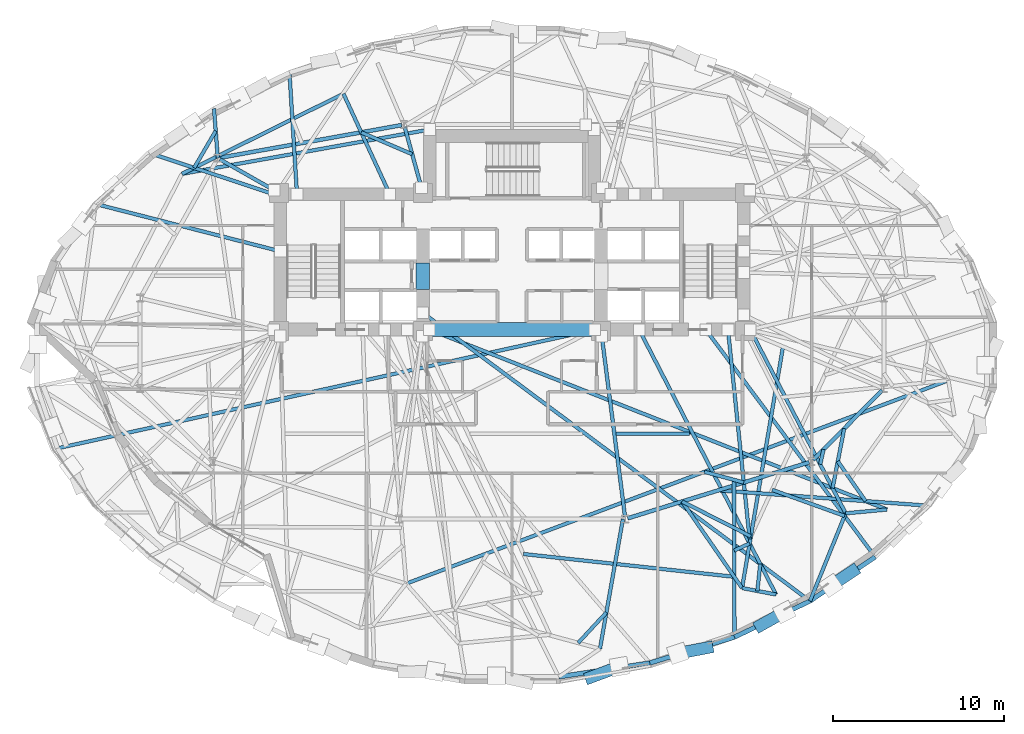
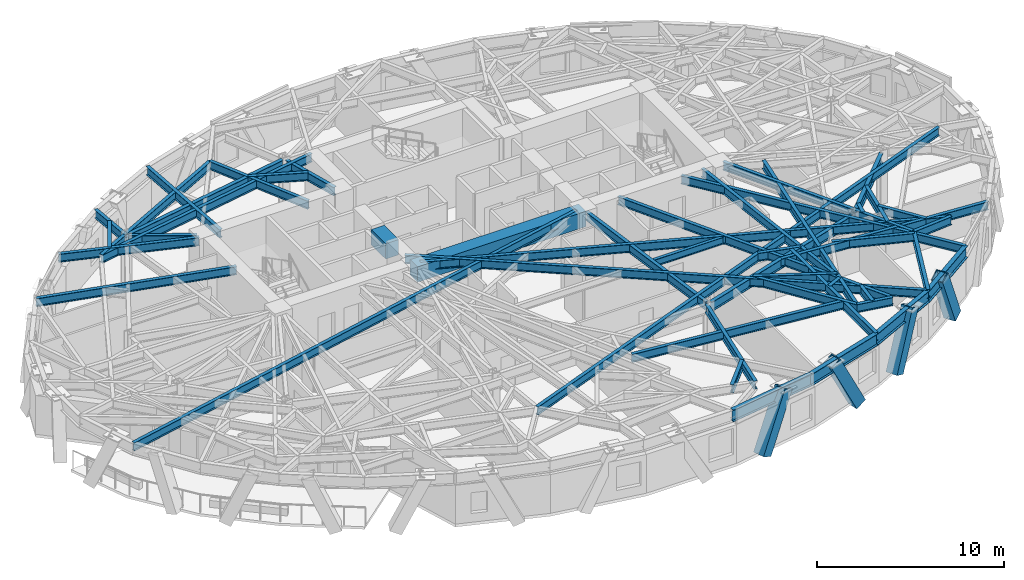
# One storey, part 4 of 17: 48 beams, 4 members.
"""IFC4 building model written with IfcOpenShell, lengths in metres."""

from ifc_helpers import new_model, si_unit, direction, frame, origin, origin_2d, place, context, subcontext, project, spatial, rectangle, hollow_rectangle, i_section, extrude, material, material_profile, profile_set, type_object, element, save


model = new_model("IFC4")

# Units and contexts
model_context = context("Model", 3, precision=1e-05, world=origin(), true_north=direction((0.0, 1.0)))
body_context = subcontext(model_context, "Body", "Model", "MODEL_VIEW")
ifc_project = project(units=[si_unit("LENGTHUNIT", "METRE"), si_unit("AREAUNIT", "SQUARE_METRE"), si_unit("VOLUMEUNIT", "CUBIC_METRE"), si_unit("PLANEANGLEUNIT", "RADIAN"), si_unit("MASSUNIT", "GRAM", prefix="KILO")], contexts=[model_context])

# Site, building, storey
site_placement = place(None, origin())
site = spatial("IfcSite", under=ifc_project, at=site_placement, CompositionType="ELEMENT")
building_placement = place(site_placement, origin())
building = spatial("IfcBuilding", under=site, at=building_placement, Name="Keldmark Tower", CompositionType="ELEMENT")
storey_placement = place(building_placement, frame((0.0, 0.0, 96.60009765625)))
storey = spatial("IfcBuildingStorey", under=building, at=storey_placement, Name="L25", CompositionType="ELEMENT", Elevation=96.60009765625)

# Beams
ifc_material_1 = material(Name="Steel ASTM A992 Grade 50", Category="steel")
ifc_material_profile_1 = material_profile(ifc_material_1, i_section(OverallWidth=0.19091796875, OverallDepth=0.45703125, WebThickness=0.009033203125, FlangeThickness=0.014404296875, at=origin_2d()), Name="W18X50")
ifc_profile_set_1 = profile_set([ifc_material_profile_1], Name="Steel ASTM A992 Grade 50")
beam_type_1 = type_object("IfcBeamType", Name="Composite Floor Joist W18X50", PredefinedType="JOIST", material=ifc_profile_set_1)
beam_1_placement = place(storey_placement, frame((6.07080078125, -4.60009765625, 3.081298828125), z_axis=(1.0, 0.0, 0.0), x_axis=(0.0, 1.0, 0.0)))
element("IfcBeam", 1, at=beam_1_placement, inside=storey, type_object=beam_type_1, Name="L25 Composite Floor Joist J06", PredefinedType="JOIST", context=body_context, shape_type="SweptSolid", body=[
    extrude(i_section(OverallWidth=0.19091796875, OverallDepth=0.45703125, WebThickness=0.009033203125, FlangeThickness=0.014404296875, at=origin_2d()), origin(), (0.0, 0.0, 1.0), 4.285400390625),
])
ifc_material_2 = material(Name="Concrete C70/85", Category="concrete")
ifc_material_profile_2 = material_profile(ifc_material_2, rectangle(XDim=0.800048828125, YDim=1.0, at=origin_2d()), Name="RCB800X1000")
ifc_profile_set_2 = profile_set([ifc_material_profile_2], Name="Concrete C70/85")
beam_type_2 = type_object("IfcBeamType", Name="Core Coupling Beam RCB800X1000", PredefinedType="USERDEFINED", material=ifc_profile_set_2)
beam_2_placement = place(storey_placement, frame((-5.199951171875, 3.800048828125, 2.809814453125), z_axis=(0.0, 1.0, 0.0), x_axis=(-1.0, 0.0, 0.0)))
element("IfcBeam", 2, at=beam_2_placement, inside=storey, type_object=beam_type_2, Name="L25 West Core Coupling Beam", ObjectType="COUPLING BEAM", PredefinedType="USERDEFINED", context=body_context, shape_type="SweptSolid", body=[
    extrude(rectangle(XDim=0.800048828125, YDim=1.0, at=origin_2d()), origin(), (0.0, 0.0, 1.0), 1.550048828125),
])
beam_3_placement = place(storey_placement, frame((-5.199951171875, 1.47509765625, 2.809814453125), z_axis=(1.0, 0.0, 0.0), x_axis=(0.0, 1.0, 0.0)))
element("IfcBeam", 3, at=beam_3_placement, inside=storey, type_object=beam_type_2, Name="L25 Central South Core Coupling Beam", ObjectType="COUPLING BEAM", PredefinedType="USERDEFINED", context=body_context, shape_type="SweptSolid", body=[
    extrude(rectangle(XDim=0.800048828125, YDim=1.0, at=origin_2d()), origin(), (0.0, 0.0, 1.0), 10.39990234375),
])

# Members
ifc_material_3 = material(Name="Steel ASTM A572 Grade 50", Category="steel")
ifc_material_profile_3 = material_profile(ifc_material_3, hollow_rectangle(XDim=0.699951171875, YDim=0.699951171875, WallThickness=0.054931640625, at=origin_2d()), Name="BOX700X700X55")
ifc_profile_set_3 = profile_set([ifc_material_profile_3], Name="Steel ASTM A572 Grade 50")
member_type = type_object("IfcMemberType", Name="Diagrid Zone 1 Brace BOX700X700X55", PredefinedType="BRACE", material=ifc_profile_set_3)
member_1_placement = place(storey_placement, frame((4.57568359375, -18.819091796875, -0.27001953125), z_axis=(0.433580961865, 0.161333905735, 0.886554521938), x_axis=(-0.348736474266, 0.937220823241, 0.0)))
element("IfcMember", 4, at=member_1_placement, inside=storey, type_object=member_type, Name="L25 Perimeter Diagrid Brace 13A", PredefinedType="BRACE", context=body_context, shape_type="SweptSolid", body=[
    extrude(hollow_rectangle(XDim=0.699951171875, YDim=0.699951171875, WallThickness=0.054931640625, at=origin_2d()), origin(), (0.0, 0.0, 1.0), 3.902587890625),
])
member_2_placement = place(storey_placement, frame((11.422607421875, -17.08203125, -0.27001953125), z_axis=(-0.449249452938, -0.08646169639, 0.889212744), x_axis=(0.18898982202, -0.981979046199, 0.0)))
element("IfcMember", 5, at=member_2_placement, inside=storey, type_object=member_type, Name="L25 Perimeter Diagrid Brace 13B", PredefinedType="BRACE", context=body_context, shape_type="SweptSolid", body=[
    extrude(hollow_rectangle(XDim=0.699951171875, YDim=0.699951171875, WallThickness=0.054931640625, at=origin_2d()), origin(), (0.0, 0.0, 1.0), 3.89111328125),
])
member_3_placement = place(storey_placement, frame((14.489013671875, -15.793212890625, -0.27001953125), z_axis=(0.368119502039, 0.204603276776, 0.906987062395), x_axis=(-0.485810649784, 0.874064078061, 0.0)))
element("IfcMember", 6, at=member_3_placement, inside=storey, type_object=member_type, Name="L25 Perimeter Diagrid Brace 14A", PredefinedType="BRACE", context=body_context, shape_type="SweptSolid", body=[
    extrude(hollow_rectangle(XDim=0.699951171875, YDim=0.699951171875, WallThickness=0.054931640625, at=origin_2d()), origin(), (0.0, 0.0, 1.0), 3.814697265625),
])
member_4_placement = place(storey_placement, frame((19.896240234375, -12.607421875, -0.27001953125), z_axis=(-0.337562603666, -0.225020237713, 0.914011696438), x_axis=(0.554663509165, -0.83207475121, 0.0)))
element("IfcMember", 7, at=member_4_placement, inside=storey, type_object=member_type, Name="L25 Perimeter Diagrid Brace 14B", PredefinedType="BRACE", context=body_context, shape_type="SweptSolid", body=[
    extrude(hollow_rectangle(XDim=0.699951171875, YDim=0.699951171875, WallThickness=0.054931640625, at=origin_2d()), origin(), (0.0, 0.0, 1.0), 3.785400390625),
])

# Beams
ifc_material_4 = material(Name="Steel ASTM A992 Grade 50", Category="steel")
ifc_material_profile_4 = material_profile(ifc_material_4, i_section(OverallWidth=0.22900390625, OverallDepth=0.612060546875, WebThickness=0.011962890625, FlangeThickness=0.01953125, at=origin_2d()), Name="W24X84")
ifc_profile_set_4 = profile_set([ifc_material_profile_4], Name="Steel ASTM A992 Grade 50")
beam_type_3 = type_object("IfcBeamType", Name="Primary Floor Girder W24X84", PredefinedType="BEAM", material=ifc_profile_set_4)
beam_4_placement = place(storey_placement, frame((-6.4365234375, 13.40771484375, 3.00390625), z_axis=(-0.984218266992, -0.176958760505, 0.0), x_axis=(0.176958760505, -0.984218266992, 0.0)))
element("IfcBeam", 8, at=beam_4_placement, inside=storey, type_object=beam_type_3, Name="L25 Floor Ring Girder FG-R04", PredefinedType="BEAM", context=body_context, shape_type="SweptSolid", body=[
    extrude(i_section(OverallWidth=0.22900390625, OverallDepth=0.612060546875, WebThickness=0.011962890625, FlangeThickness=0.01953125, at=origin_2d()), origin(), (0.0, 0.0, 1.0), 10.7626953125),
])
beam_5_placement = place(storey_placement, frame((6.74658203125, -9.5380859375, 3.00390625), z_axis=(0.955607954968, 0.294641199432, 0.0), x_axis=(-0.294641199432, 0.955607954968, 0.0)))
element("IfcBeam", 9, at=beam_5_placement, inside=storey, type_object=beam_type_3, Name="L25 Floor Ring Girder FG-R10", PredefinedType="BEAM", context=body_context, shape_type="SweptSolid", body=[
    extrude(i_section(OverallWidth=0.22900390625, OverallDepth=0.612060546875, WebThickness=0.011962890625, FlangeThickness=0.01953125, at=origin_2d()), origin(), (0.0, 0.0, 1.0), 11.089111328125),
])
beam_6_placement = place(storey_placement, frame((17.57568359375, -6.130126953125, 3.00390625), z_axis=(0.703425791323, 0.71076870788, 0.0), x_axis=(-0.71076870788, 0.703425791323, 0.0)))
element("IfcBeam", 10, at=beam_6_placement, inside=storey, type_object=beam_type_3, Name="L25 Floor Ring Girder FG-R11", PredefinedType="BEAM", context=body_context, shape_type="SweptSolid", body=[
    extrude(i_section(OverallWidth=0.22900390625, OverallDepth=0.612060546875, WebThickness=0.011962890625, FlangeThickness=0.01953125, at=origin_2d()), origin(), (0.0, 0.0, 1.0), 5.71875),
])
ifc_material_5 = material(Name="Steel ASTM A992 Grade 50", Category="steel")
ifc_material_profile_5 = material_profile(ifc_material_5, i_section(OverallWidth=0.2099609375, OverallDepth=0.537109375, WebThickness=0.010986328125, FlangeThickness=0.017333984375, at=origin_2d()), Name="W21X68")
ifc_profile_set_5 = profile_set([ifc_material_profile_5], Name="Steel ASTM A992 Grade 50")
beam_type_4 = type_object("IfcBeamType", Name="Radial Tie Girder W21X68", PredefinedType="BEAM", material=ifc_profile_set_5)
beam_7_placement = place(storey_placement, frame((-5.822265625, 11.705078125, 3.04150390625), z_axis=(-0.918742788733, 0.39485654123, 0.0), x_axis=(-0.39485654123, -0.918742788733, 0.0)))
element("IfcBeam", 11, at=beam_7_placement, inside=storey, type_object=beam_type_4, Name="L25 Framing Pin Header PH-002", PredefinedType="BEAM", context=body_context, shape_type="SweptSolid", body=[
    extrude(i_section(OverallWidth=0.2099609375, OverallDepth=0.537109375, WebThickness=0.010986328125, FlangeThickness=0.017333984375, at=origin_2d()), origin(), (0.0, 0.0, 1.0), 3.237548828125),
])
beam_8_placement = place(storey_placement, frame((-7.132080078125, 9.375, 3.04150390625), z_axis=(-0.41889505374, 0.908034654599, 0.0), x_axis=(-0.908034654599, -0.41889505374, 0.0)))
element("IfcBeam", 12, at=beam_8_placement, inside=storey, type_object=beam_type_4, Name="L25 Sub-Ring Step Girder STP1-M05", PredefinedType="BEAM", context=body_context, shape_type="SweptSolid", body=[
    extrude(i_section(OverallWidth=0.2099609375, OverallDepth=0.537109375, WebThickness=0.010986328125, FlangeThickness=0.017333984375, at=origin_2d()), origin(), (0.0, 0.0, 1.0), 6.4541015625),
])
beam_9_placement = place(storey_placement, frame((-4.800048828125, 13.14990234375, 3.04150390625), z_axis=(-0.984336944595, -0.176297417749, 0.0), x_axis=(0.176297417749, -0.984336944595, 0.0)))
element("IfcBeam", 13, at=beam_9_placement, inside=storey, type_object=beam_type_4, Name="L25 Sub-Ring Step Girder STP1-M06", PredefinedType="BEAM", context=body_context, shape_type="SweptSolid", body=[
    extrude(i_section(OverallWidth=0.2099609375, OverallDepth=0.537109375, WebThickness=0.010986328125, FlangeThickness=0.017333984375, at=origin_2d()), origin(), (0.0, 0.0, 1.0), 14.688720703125),
])
beam_10_placement = place(storey_placement, frame((-9.835693359375, 15.235595703125, 3.04150390625), z_axis=(-0.895801561562, -0.444454229705, 0.0), x_axis=(0.444454229705, -0.895801561562, 0.0)))
element("IfcBeam", 14, at=beam_10_placement, inside=storey, type_object=beam_type_4, Name="L25 Perimeter Collector Ring Beam CRG1-M05", PredefinedType="BEAM", context=body_context, shape_type="SweptSolid", body=[
    extrude(i_section(OverallWidth=0.2099609375, OverallDepth=0.537109375, WebThickness=0.010986328125, FlangeThickness=0.017333984375, at=origin_2d()), origin(), (0.0, 0.0, 1.0), 10.519287109375),
])
beam_11_placement = place(storey_placement, frame((-6.1748046875, -13.349609375, 3.04150390625), z_axis=(0.936336898088, 0.351102852851, 0.0), x_axis=(-0.351102852851, 0.936336898088, 0.0)))
element("IfcBeam", 15, at=beam_11_placement, inside=storey, type_object=beam_type_4, Name="L25 Perimeter Collector Ring Beam CRG1-M09", PredefinedType="BEAM", context=body_context, shape_type="SweptSolid", body=[
    extrude(i_section(OverallWidth=0.2099609375, OverallDepth=0.537109375, WebThickness=0.010986328125, FlangeThickness=0.017333984375, at=origin_2d()), origin(), (0.0, 0.0, 1.0), 33.787109375),
])
beam_12_placement = place(storey_placement, frame((11.22509765625, -6.8251953125, 3.04150390625), z_axis=(0.965260823005, -0.261288238485, 0.0), x_axis=(0.261288238485, 0.965260823005, 0.0)))
element("IfcBeam", 16, at=beam_12_placement, inside=storey, type_object=beam_type_4, Name="L25 Framing Pin Header PH-014", PredefinedType="BEAM", context=body_context, shape_type="SweptSolid", body=[
    extrude(i_section(OverallWidth=0.2099609375, OverallDepth=0.537109375, WebThickness=0.010986328125, FlangeThickness=0.017333984375, at=origin_2d()), origin(), (0.0, 0.0, 1.0), 2.383544921875),
])
beam_13_placement = place(storey_placement, frame((12.603515625, 1.47509765625, 3.04150390625), z_axis=(0.102811001246, -0.994700908828, 0.0), x_axis=(0.994700908828, 0.102811001246, 0.0)))
element("IfcBeam", 17, at=beam_13_placement, inside=storey, type_object=beam_type_4, Name="L25 Sub-Ring Step Girder STP2-M11", PredefinedType="BEAM", context=body_context, shape_type="SweptSolid", body=[
    extrude(i_section(OverallWidth=0.2099609375, OverallDepth=0.537109375, WebThickness=0.010986328125, FlangeThickness=0.017333984375, at=origin_2d()), origin(), (0.0, 0.0, 1.0), 12.2841796875),
])
beam_14_placement = place(storey_placement, frame((-12.54638671875, 9.375, 3.04150390625), z_axis=(-0.061700276129, 0.998094722922, 0.0), x_axis=(-0.998094722922, -0.061700276129, 0.0)))
element("IfcBeam", 18, at=beam_14_placement, inside=storey, type_object=beam_type_4, Name="L25 Perimeter Radial Tie Girder RT-11", PredefinedType="BEAM", context=body_context, shape_type="SweptSolid", body=[
    extrude(i_section(OverallWidth=0.2099609375, OverallDepth=0.537109375, WebThickness=0.010986328125, FlangeThickness=0.017333984375, at=origin_2d()), origin(), (0.0, 0.0, 1.0), 7.1064453125),
])
beam_15_placement = place(storey_placement, frame((-17.1669921875, 11.478271484375, 3.04150390625), z_axis=(-0.077006087343, 0.997030622655, 0.0), x_axis=(-0.997030622655, -0.077006087343, 0.0)))
element("IfcBeam", 19, at=beam_15_placement, inside=storey, type_object=beam_type_4, Name="L25 Perimeter Column Bracket RT-12", PredefinedType="BEAM", context=body_context, shape_type="SweptSolid", body=[
    extrude(i_section(OverallWidth=0.2099609375, OverallDepth=0.537109375, WebThickness=0.010986328125, FlangeThickness=0.017333984375, at=origin_2d()), origin(), (0.0, 0.0, 1.0), 2.89453125),
])
beam_16_placement = place(storey_placement, frame((-17.28955078125, 13.065673828125, 3.04150390625), z_axis=(-0.504449485271, -0.863441206342, 0.0), x_axis=(0.863441206342, -0.504449485271, 0.0)))
element("IfcBeam", 20, at=beam_16_placement, inside=storey, type_object=beam_type_4, Name="L25 Framing Pin Header PH-022", PredefinedType="BEAM", context=body_context, shape_type="SweptSolid", body=[
    extrude(i_section(OverallWidth=0.2099609375, OverallDepth=0.537109375, WebThickness=0.010986328125, FlangeThickness=0.017333984375, at=origin_2d()), origin(), (0.0, 0.0, 1.0), 2.492431640625),
])
beam_17_placement = place(storey_placement, frame((-13.89990234375, 9.375, 3.04150390625), z_axis=(-0.94932040912, 0.314309975705, 0.0), x_axis=(-0.314309975705, -0.94932040912, 0.0)))
element("IfcBeam", 21, at=beam_17_placement, inside=storey, type_object=beam_type_4, Name="L25 Perimeter Radial Tie Girder RT-13", PredefinedType="BEAM", context=body_context, shape_type="SweptSolid", body=[
    extrude(i_section(OverallWidth=0.2099609375, OverallDepth=0.537109375, WebThickness=0.010986328125, FlangeThickness=0.017333984375, at=origin_2d()), origin(), (0.0, 0.0, 1.0), 7.678955078125),
])
beam_18_placement = place(storey_placement, frame((-13.52490234375, 6.04296875, 3.04150390625), z_axis=(-0.968696781598, 0.248246944234, 0.0), x_axis=(-0.248246944234, -0.968696781598, 0.0)))
element("IfcBeam", 22, at=beam_18_placement, inside=storey, type_object=beam_type_4, Name="L25 Perimeter Radial Tie Girder RT-14", PredefinedType="BEAM", context=body_context, shape_type="SweptSolid", body=[
    extrude(i_section(OverallWidth=0.2099609375, OverallDepth=0.537109375, WebThickness=0.010986328125, FlangeThickness=0.017333984375, at=origin_2d()), origin(), (0.0, 0.0, 1.0), 11.115966796875),
])
beam_19_placement = place(storey_placement, frame((4.824951171875, 1.47509765625, 3.04150390625), z_axis=(-0.976430149111, -0.215833648692, 0.0), x_axis=(0.215833648692, -0.976430149111, 0.0)))
element("IfcBeam", 23, at=beam_19_placement, inside=storey, type_object=beam_type_4, Name="L25 Perimeter Radial Tie Girder RT-18", PredefinedType="BEAM", context=body_context, shape_type="SweptSolid", body=[
    extrude(i_section(OverallWidth=0.2099609375, OverallDepth=0.537109375, WebThickness=0.010986328125, FlangeThickness=0.017333984375, at=origin_2d()), origin(), (0.0, 0.0, 1.0), 32.104248046875),
])
beam_20_placement = place(storey_placement, frame((9.92578125, -8.557861328125, 3.04150390625), z_axis=(0.89201446868, -0.452006844711, 0.0), x_axis=(0.452006844711, 0.89201446868, 0.0)))
element("IfcBeam", 24, at=beam_20_placement, inside=storey, type_object=beam_type_4, Name="L25 Framing Pin Header PH-036", PredefinedType="BEAM", context=body_context, shape_type="SweptSolid", body=[
    extrude(i_section(OverallWidth=0.2099609375, OverallDepth=0.537109375, WebThickness=0.010986328125, FlangeThickness=0.017333984375, at=origin_2d()), origin(), (0.0, 0.0, 1.0), 4.49658203125),
])
beam_21_placement = place(storey_placement, frame((15.8134765625, 0.47998046875, 3.04150390625), z_axis=(-0.167141733983, -0.985932878426, 0.0), x_axis=(0.985932878426, -0.167141733983, 0.0)))
element("IfcBeam", 25, at=beam_21_placement, inside=storey, type_object=beam_type_4, Name="L25 Intermediate Radial Step Girder RT-27M", PredefinedType="BEAM", context=body_context, shape_type="SweptSolid", body=[
    extrude(i_section(OverallWidth=0.2099609375, OverallDepth=0.537109375, WebThickness=0.010986328125, FlangeThickness=0.017333984375, at=origin_2d()), origin(), (0.0, 0.0, 1.0), 14.286865234375),
])
beam_22_placement = place(storey_placement, frame((9.92578125, -8.557861328125, 3.04150390625), z_axis=(0.5697513477, -0.821817134035, 0.0), x_axis=(0.821817134035, 0.5697513477, 0.0)))
element("IfcBeam", 26, at=beam_22_placement, inside=storey, type_object=beam_type_4, Name="L25 Local Collector Chord RT-27C", PredefinedType="BEAM", context=body_context, shape_type="SweptSolid", body=[
    extrude(i_section(OverallWidth=0.2099609375, OverallDepth=0.537109375, WebThickness=0.010986328125, FlangeThickness=0.017333984375, at=origin_2d()), origin(), (0.0, 0.0, 1.0), 6.142578125),
])
beam_23_placement = place(storey_placement, frame((0.669189453125, -11.62109375, 3.04150390625), z_axis=(0.994206363768, -0.107488167923, 0.0), x_axis=(0.107488167923, 0.994206363768, 0.0)))
element("IfcBeam", 27, at=beam_23_placement, inside=storey, type_object=beam_type_4, Name="L25 Framing Pin Header PH-037", PredefinedType="BEAM", context=body_context, shape_type="SweptSolid", body=[
    extrude(i_section(OverallWidth=0.2099609375, OverallDepth=0.537109375, WebThickness=0.010986328125, FlangeThickness=0.017333984375, at=origin_2d()), origin(), (0.0, 0.0, 1.0), 12.374267578125),
])
beam_24_placement = place(storey_placement, frame((12.95068359375, -7.292236328125, 3.04150390625), z_axis=(0.003724963514, -0.999993062299, 0.0), x_axis=(0.999993062299, 0.003724963514, 0.0)))
element("IfcBeam", 28, at=beam_24_placement, inside=storey, type_object=beam_type_4, Name="L25 Perimeter Radial Tie Girder RT-27", PredefinedType="BEAM", context=body_context, shape_type="SweptSolid", body=[
    extrude(i_section(OverallWidth=0.2099609375, OverallDepth=0.537109375, WebThickness=0.010986328125, FlangeThickness=0.017333984375, at=origin_2d()), origin(), (0.0, 0.0, 1.0), 9.17578125),
])
beam_25_placement = place(storey_placement, frame((12.966064453125, -11.42138671875, 3.04150390625), z_axis=(0.907079392959, 0.420959588166, 0.0), x_axis=(-0.420959588166, 0.907079392959, 0.0)))
element("IfcBeam", 29, at=beam_25_placement, inside=storey, type_object=beam_type_4, Name="L25 Framing Pin Header PH-038", PredefinedType="BEAM", context=body_context, shape_type="SweptSolid", body=[
    extrude(i_section(OverallWidth=0.2099609375, OverallDepth=0.537109375, WebThickness=0.010986328125, FlangeThickness=0.017333984375, at=origin_2d()), origin(), (0.0, 0.0, 1.0), 0.992919921875),
])
beam_26_placement = place(storey_placement, frame((7.41796875, 1.47509765625, 3.04150390625), z_axis=(0.459109556407, -0.888379657137, 0.0), x_axis=(0.888379657137, 0.459109556407, 0.0)))
element("IfcBeam", 30, at=beam_26_placement, inside=storey, type_object=beam_type_4, Name="L25 Intermediate Radial Step Girder RT-28M", PredefinedType="BEAM", context=body_context, shape_type="SweptSolid", body=[
    extrude(i_section(OverallWidth=0.2099609375, OverallDepth=0.537109375, WebThickness=0.010986328125, FlangeThickness=0.017333984375, at=origin_2d()), origin(), (0.0, 0.0, 1.0), 17.402587890625),
])
beam_27_placement = place(storey_placement, frame((13.425537109375, -13.60595703125, 3.04150390625), z_axis=(0.982193207505, -0.18787363607, 0.0), x_axis=(0.18787363607, 0.982193207505, 0.0)))
element("IfcBeam", 31, at=beam_27_placement, inside=storey, type_object=beam_type_4, Name="L25 Local Collector Chord RT-28C", PredefinedType="BEAM", context=body_context, shape_type="SweptSolid", body=[
    extrude(i_section(OverallWidth=0.2099609375, OverallDepth=0.537109375, WebThickness=0.010986328125, FlangeThickness=0.017333984375, at=origin_2d()), origin(), (0.0, 0.0, 1.0), 2.01806640625),
])
beam_28_placement = place(storey_placement, frame((14.3173828125, -13.776611328125, 3.04150390625), z_axis=(0.107246862306, 0.994232422789, 0.0), x_axis=(-0.994232422789, 0.107246862306, 0.0)))
element("IfcBeam", 32, at=beam_28_placement, inside=storey, type_object=beam_type_4, Name="L25 Framing Pin Header PH-039", PredefinedType="BEAM", context=body_context, shape_type="SweptSolid", body=[
    extrude(i_section(OverallWidth=0.2099609375, OverallDepth=0.537109375, WebThickness=0.010986328125, FlangeThickness=0.017333984375, at=origin_2d()), origin(), (0.0, 0.0, 1.0), 1.58203125),
])
beam_29_placement = place(storey_placement, frame((-5.199951171875, 2.449951171875, 3.04150390625), z_axis=(0.802179432186, -0.59708304161, 0.0), x_axis=(0.59708304161, 0.802179432186, 0.0)))
element("IfcBeam", 33, at=beam_29_placement, inside=storey, type_object=beam_type_4, Name="L25 Perimeter Radial Tie Girder RT-28", PredefinedType="BEAM", context=body_context, shape_type="SweptSolid", body=[
    extrude(i_section(OverallWidth=0.2099609375, OverallDepth=0.537109375, WebThickness=0.010986328125, FlangeThickness=0.017333984375, at=origin_2d()), origin(), (0.0, 0.0, 1.0), 28.16064453125),
])
beam_30_placement = place(storey_placement, frame((18.17919921875, -5.5205078125, 3.04150390625), z_axis=(-0.218472344851, -0.975843140333, 0.0), x_axis=(0.975843140333, -0.218472344851, 0.0)))
element("IfcBeam", 34, at=beam_30_placement, inside=storey, type_object=beam_type_4, Name="L25 Framing Pin Header PH-040", PredefinedType="BEAM", context=body_context, shape_type="SweptSolid", body=[
    extrude(i_section(OverallWidth=0.2099609375, OverallDepth=0.537109375, WebThickness=0.010986328125, FlangeThickness=0.017333984375, at=origin_2d()), origin(), (0.0, 0.0, 1.0), 0.888427734375),
])
beam_31_placement = place(storey_placement, frame((13.89990234375, 1.47509765625, 3.04150390625), z_axis=(0.461052437955, -0.887372892, 0.0), x_axis=(0.887372892, 0.461052437955, 0.0)))
element("IfcBeam", 35, at=beam_31_placement, inside=storey, type_object=beam_type_4, Name="L25 Intermediate Radial Step Girder RT-29M", PredefinedType="BEAM", context=body_context, shape_type="SweptSolid", body=[
    extrude(i_section(OverallWidth=0.2099609375, OverallDepth=0.537109375, WebThickness=0.010986328125, FlangeThickness=0.017333984375, at=origin_2d()), origin(), (0.0, 0.0, 1.0), 12.083251953125),
])
beam_32_placement = place(storey_placement, frame((17.389892578125, -14.3642578125, 3.04150390625), z_axis=(0.376733853868, 0.926321544254, 0.0), x_axis=(-0.926321544254, 0.376733853868, 0.0)))
element("IfcBeam", 36, at=beam_32_placement, inside=storey, type_object=beam_type_4, Name="L25 Local Collector Chord RT-29C", PredefinedType="BEAM", context=body_context, shape_type="SweptSolid", body=[
    extrude(i_section(OverallWidth=0.2099609375, OverallDepth=0.537109375, WebThickness=0.010986328125, FlangeThickness=0.017333984375, at=origin_2d()), origin(), (0.0, 0.0, 1.0), 5.52392578125),
])
beam_33_placement = place(storey_placement, frame((15.182373046875, -7.875, 3.04150390625), z_axis=(0.940725912132, -0.339167743518, 0.0), x_axis=(0.339167743518, 0.940725912132, 0.0)))
element("IfcBeam", 37, at=beam_33_placement, inside=storey, type_object=beam_type_4, Name="L25 Framing Pin Header PH-041", PredefinedType="BEAM", context=body_context, shape_type="SweptSolid", body=[
    extrude(i_section(OverallWidth=0.2099609375, OverallDepth=0.537109375, WebThickness=0.010986328125, FlangeThickness=0.017333984375, at=origin_2d()), origin(), (0.0, 0.0, 1.0), 4.4931640625),
])
beam_34_placement = place(storey_placement, frame((11.30712890625, 1.47509765625, 3.04150390625), z_axis=(0.597474809089, -0.801887680728, 0.0), x_axis=(0.801887680728, 0.597474809089, 0.0)))
element("IfcBeam", 38, at=beam_34_placement, inside=storey, type_object=beam_type_4, Name="L25 Perimeter Radial Tie Girder RT-29", PredefinedType="BEAM", context=body_context, shape_type="SweptSolid", body=[
    extrude(i_section(OverallWidth=0.2099609375, OverallDepth=0.537109375, WebThickness=0.010986328125, FlangeThickness=0.017333984375, at=origin_2d()), origin(), (0.0, 0.0, 1.0), 16.54052734375),
])
beam_35_placement = place(storey_placement, frame((19.385986328125, -4.301025390625, 3.04150390625), z_axis=(-0.191792197269, -0.981435557266, 0.0), x_axis=(0.981435557266, -0.191792197269, 0.0)))
element("IfcBeam", 39, at=beam_35_placement, inside=storey, type_object=beam_type_4, Name="L25 Framing Pin Header PH-042", PredefinedType="BEAM", context=body_context, shape_type="SweptSolid", body=[
    extrude(i_section(OverallWidth=0.2099609375, OverallDepth=0.537109375, WebThickness=0.010986328125, FlangeThickness=0.017333984375, at=origin_2d()), origin(), (0.0, 0.0, 1.0), 3.541259765625),
])
beam_36_placement = place(storey_placement, frame((-4.824951171875, 1.47509765625, 3.04150390625), z_axis=(0.930656016683, -0.365895310999, 0.0), x_axis=(0.365895310999, 0.930656016683, 0.0)))
element("IfcBeam", 40, at=beam_36_placement, inside=storey, type_object=beam_type_4, Name="L25 Intermediate Radial Step Girder RT-30M", PredefinedType="BEAM", context=body_context, shape_type="SweptSolid", body=[
    extrude(i_section(OverallWidth=0.2099609375, OverallDepth=0.537109375, WebThickness=0.010986328125, FlangeThickness=0.017333984375, at=origin_2d()), origin(), (0.0, 0.0, 1.0), 28.69677734375),
])
beam_37_placement = place(storey_placement, frame((19.470947265625, -9.247314453125, 3.04150390625), z_axis=(0.995771647265, 0.091863085636, 0.0), x_axis=(-0.091863085636, 0.995771647265, 0.0)))
element("IfcBeam", 41, at=beam_37_placement, inside=storey, type_object=beam_type_4, Name="L25 Local Collector Chord RT-30C", PredefinedType="BEAM", context=body_context, shape_type="SweptSolid", body=[
    extrude(i_section(OverallWidth=0.2099609375, OverallDepth=0.537109375, WebThickness=0.010986328125, FlangeThickness=0.017333984375, at=origin_2d()), origin(), (0.0, 0.0, 1.0), 2.421142578125),
])
beam_38_placement = place(storey_placement, frame((19.012451171875, -6.21240234375, 3.04150390625), z_axis=(0.572536208018, -0.819879436569, 0.0), x_axis=(0.819879436569, 0.572536208018, 0.0)))
element("IfcBeam", 42, at=beam_38_placement, inside=storey, type_object=beam_type_4, Name="L25 Framing Pin Header PH-043", PredefinedType="BEAM", context=body_context, shape_type="SweptSolid", body=[
    extrude(i_section(OverallWidth=0.2099609375, OverallDepth=0.537109375, WebThickness=0.010986328125, FlangeThickness=0.017333984375, at=origin_2d()), origin(), (0.0, 0.0, 1.0), 2.831787109375),
])
beam_39_placement = place(storey_placement, frame((12.044921875, -7.904541015625, 3.04150390625), z_axis=(0.997323338441, -0.07311743021, 0.0), x_axis=(0.07311743021, 0.997323338441, 0.0)))
element("IfcBeam", 43, at=beam_39_placement, inside=storey, type_object=beam_type_4, Name="L25 Perimeter Radial Tie Girder RT-30", PredefinedType="BEAM", context=body_context, shape_type="SweptSolid", body=[
    extrude(i_section(OverallWidth=0.2099609375, OverallDepth=0.537109375, WebThickness=0.010986328125, FlangeThickness=0.017333984375, at=origin_2d()), origin(), (0.0, 0.0, 1.0), 12.281005859375),
])
beam_40_placement = place(storey_placement, frame((5.131591796875, -17.1533203125, 3.04150390625), z_axis=(0.174381017898, 0.984678252322, 0.0), x_axis=(-0.984678252322, 0.174381017898, 0.0)))
element("IfcBeam", 44, at=beam_40_placement, inside=storey, type_object=beam_type_4, Name="L25 Straddling Support Chord RT-26RB", PredefinedType="BEAM", context=body_context, shape_type="SweptSolid", body=[
    extrude(i_section(OverallWidth=0.2099609375, OverallDepth=0.537109375, WebThickness=0.010986328125, FlangeThickness=0.017333984375, at=origin_2d()), origin(), (0.0, 0.0, 1.0), 7.69189453125),
])
beam_41_placement = place(storey_placement, frame((3.8603515625, -16.808837890625, 3.04150390625), z_axis=(0.679940549102, 0.73326724302, 0.0), x_axis=(-0.73326724302, 0.679940549102, 0.0)))
element("IfcBeam", 45, at=beam_41_placement, inside=storey, type_object=beam_type_4, Name="L25 Framing Pin Header PH-050", PredefinedType="BEAM", context=body_context, shape_type="SweptSolid", body=[
    extrude(i_section(OverallWidth=0.2099609375, OverallDepth=0.537109375, WebThickness=0.010986328125, FlangeThickness=0.017333984375, at=origin_2d()), origin(), (0.0, 0.0, 1.0), 2.421875),
])
ifc_material_6 = material(Name="Steel ASTM A992 Grade 50", Category="steel")
ifc_material_profile_6 = material_profile(ifc_material_6, i_section(OverallWidth=0.214111328125, OverallDepth=0.549072265625, WebThickness=0.0146484375, FlangeThickness=0.023681640625, at=origin_2d()), Name="W21X93")
ifc_profile_set_6 = profile_set([ifc_material_profile_6], Name="Steel ASTM A992 Grade 50")
beam_type_5 = type_object("IfcBeamType", Name="Radial Tie Girder W21X93", PredefinedType="BEAM", material=ifc_profile_set_6)
beam_42_placement = place(storey_placement, frame((-6.26171875, 13.297607421875, 3.035400390625), z_axis=(0.265997186795, -0.963973804944, 0.0), x_axis=(0.963973804944, 0.265997186795, 0.0)))
element("IfcBeam", 46, at=beam_42_placement, inside=storey, type_object=beam_type_5, Name="L25 Floor Radial Girder FG-C04", PredefinedType="BEAM", context=body_context, shape_type="SweptSolid", body=[
    extrude(i_section(OverallWidth=0.214111328125, OverallDepth=0.549072265625, WebThickness=0.0146484375, FlangeThickness=0.023681640625, at=origin_2d()), origin(), (0.0, 0.0, 1.0), 3.67138671875),
])
beam_43_placement = place(storey_placement, frame((-17.04541015625, 11.4091796875, 3.035400390625), z_axis=(0.86928447329, -0.494312152892, 0.0), x_axis=(0.494312152892, 0.86928447329, 0.0)))
element("IfcBeam", 47, at=beam_43_placement, inside=storey, type_object=beam_type_5, Name="L25 Floor Radial Girder FG-C05", PredefinedType="BEAM", context=body_context, shape_type="SweptSolid", body=[
    extrude(i_section(OverallWidth=0.214111328125, OverallDepth=0.549072265625, WebThickness=0.0146484375, FlangeThickness=0.023681640625, at=origin_2d()), origin(), (0.0, 0.0, 1.0), 3.6435546875),
])
beam_44_placement = place(storey_placement, frame((6.594970703125, -9.4404296875, 3.035400390625), z_axis=(-0.127642040045, 0.991820301069, 0.0), x_axis=(-0.991820301069, -0.127642040045, 0.0)))
element("IfcBeam", 48, at=beam_44_placement, inside=storey, type_object=beam_type_5, Name="L25 Floor Radial Girder FG-C10", PredefinedType="BEAM", context=body_context, shape_type="SweptSolid", body=[
    extrude(i_section(OverallWidth=0.214111328125, OverallDepth=0.549072265625, WebThickness=0.0146484375, FlangeThickness=0.023681640625, at=origin_2d()), origin(), (0.0, 0.0, 1.0), 10.609619140625),
])
ifc_material_7 = material(Name="Steel ASTM A992 Grade 50", Category="steel")
ifc_material_profile_7 = material_profile(ifc_material_7, i_section(OverallWidth=0.26806640625, OverallDepth=0.77001953125, WebThickness=0.015625, FlangeThickness=0.025390625, at=origin_2d()), Name="W30X132")
ifc_profile_set_7 = profile_set([ifc_material_profile_7], Name="Steel ASTM A992 Grade 50")
beam_type_6 = type_object("IfcBeamType", Name="Spandrel Ring Beam W30X132", PredefinedType="SPANDREL", material=ifc_profile_set_7)
beam_45_placement = place(storey_placement, frame((2.729736328125, -18.788330078125, 2.9248046875), z_axis=(0.988621773192, 0.150422702975, 0.0), x_axis=(-0.150422702975, 0.988621773192, 0.0)))
element("IfcBeam", 49, at=beam_45_placement, inside=storey, type_object=beam_type_6, Name="L25 Perimeter Spandrel Ring Beam SRB-25", PredefinedType="SPANDREL", context=body_context, shape_type="SweptSolid", body=[
    extrude(i_section(OverallWidth=0.26806640625, OverallDepth=0.77001953125, WebThickness=0.015625, FlangeThickness=0.025390625, at=origin_2d()), origin(), (0.0, 0.0, 1.0), 5.377197265625),
])
beam_46_placement = place(storey_placement, frame((8.045654296875, -17.9794921875, 2.9248046875), z_axis=(0.956228569431, 0.292620783617, 0.0), x_axis=(-0.292620783617, 0.956228569431, 0.0)))
element("IfcBeam", 50, at=beam_46_placement, inside=storey, type_object=beam_type_6, Name="L25 Perimeter Spandrel Ring Beam SRB-26", PredefinedType="SPANDREL", context=body_context, shape_type="SweptSolid", body=[
    extrude(i_section(OverallWidth=0.26806640625, OverallDepth=0.77001953125, WebThickness=0.015625, FlangeThickness=0.025390625, at=origin_2d()), origin(), (0.0, 0.0, 1.0), 5.165283203125),
])
beam_47_placement = place(storey_placement, frame((12.98486328125, -16.468017578125, 2.9248046875), z_axis=(0.902372757907, 0.430956385018, 0.0), x_axis=(-0.430956385018, 0.902372757907, 0.0)))
element("IfcBeam", 51, at=beam_47_placement, inside=storey, type_object=beam_type_6, Name="L25 Perimeter Spandrel Ring Beam SRB-27", PredefinedType="SPANDREL", context=body_context, shape_type="SweptSolid", body=[
    extrude(i_section(OverallWidth=0.26806640625, OverallDepth=0.77001953125, WebThickness=0.015625, FlangeThickness=0.025390625, at=origin_2d()), origin(), (0.0, 0.0, 1.0), 4.881591796875),
])
beam_48_placement = place(storey_placement, frame((17.389892578125, -14.3642578125, 2.9248046875), z_axis=(0.827754551165, 0.56109036975, 0.0), x_axis=(-0.56109036975, 0.827754551165, 0.0)))
element("IfcBeam", 52, at=beam_48_placement, inside=storey, type_object=beam_type_6, Name="L25 Perimeter Spandrel Ring Beam SRB-28", PredefinedType="SPANDREL", context=body_context, shape_type="SweptSolid", body=[
    extrude(i_section(OverallWidth=0.26806640625, OverallDepth=0.77001953125, WebThickness=0.015625, FlangeThickness=0.025390625, at=origin_2d()), origin(), (0.0, 0.0, 1.0), 4.590576171875),
])

save(model, "model.ifc")
